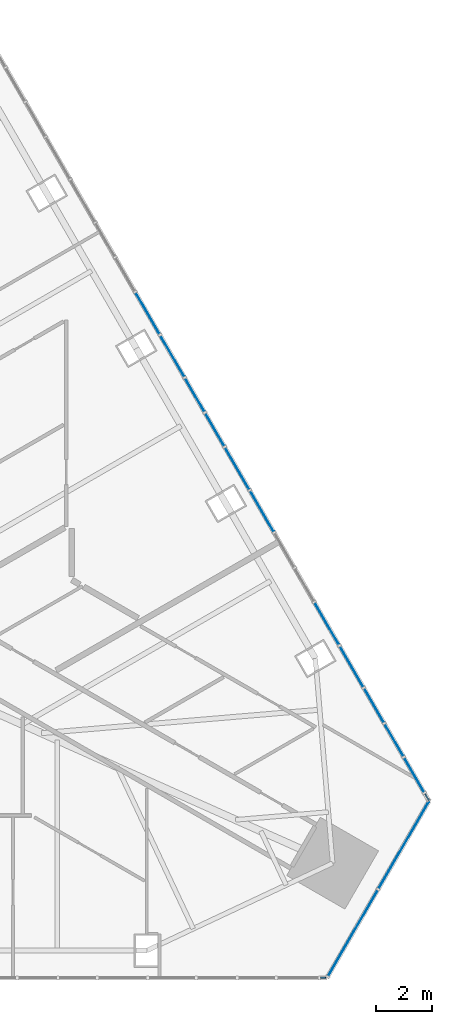
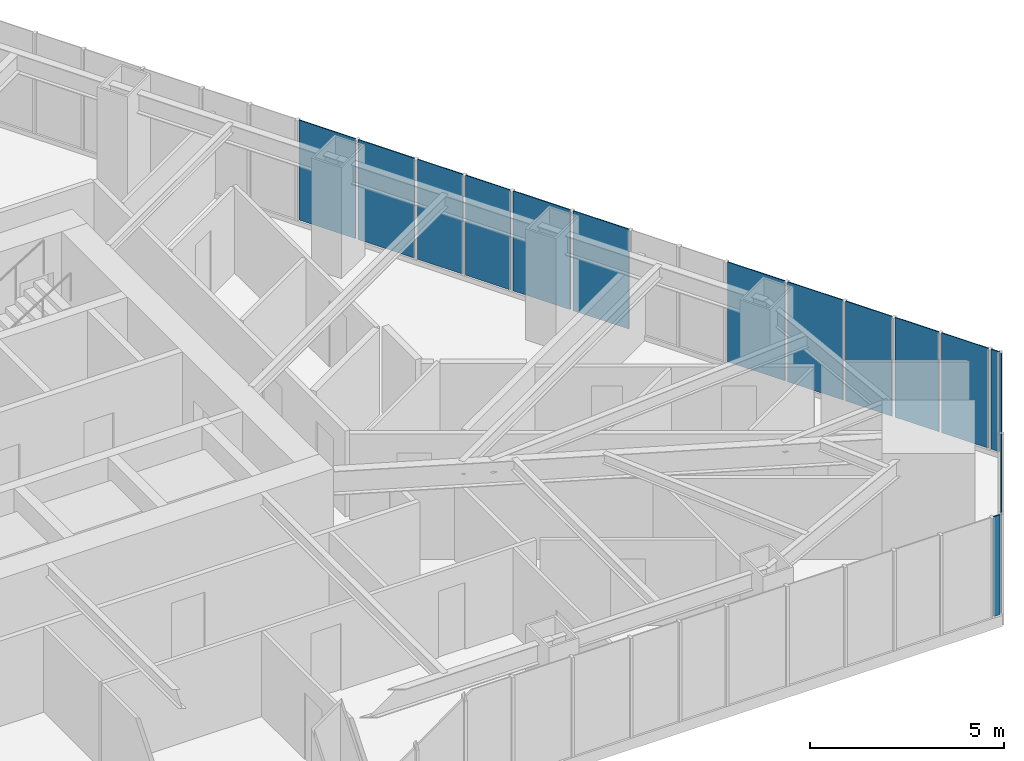
# One storey, part 13 of 21: 15 plates, 3 elements without a shape of their own.
"""IFC4 building model written with IfcOpenShell, lengths in metres."""

from ifc_helpers import new_model, si_unit, direction, frame, origin, place, context, subcontext, project, spatial, polyline, outline, extrude, material, layer, layer_set, type_object, element, aggregate, save


model = new_model("IFC4")

# Units and contexts
model_context = context("Model", 3, precision=1e-05, world=origin(), true_north=direction((0.0, 1.0)))
body_context = subcontext(model_context, "Body", "Model", "MODEL_VIEW")
ifc_project = project(units=[si_unit("LENGTHUNIT", "METRE"), si_unit("AREAUNIT", "SQUARE_METRE"), si_unit("VOLUMEUNIT", "CUBIC_METRE"), si_unit("PLANEANGLEUNIT", "RADIAN"), si_unit("MASSUNIT", "GRAM", prefix="KILO")], contexts=[model_context])

# Site, building, storey
site_placement = place(None, origin())
site = spatial("IfcSite", under=ifc_project, at=site_placement, CompositionType="ELEMENT")
building_placement = place(site_placement, origin())
building = spatial("IfcBuilding", under=site, at=building_placement, Name="Firuza Gate Tower and Library", CompositionType="ELEMENT")
storey_placement = place(building_placement, frame((0.0, 0.0, 284.60009765625)))
storey = spatial("IfcBuildingStorey", under=building, at=storey_placement, Name="L68", CompositionType="ELEMENT", Elevation=284.60009765625)

# Curtain wall, plates
ifc_material_1 = material(Name="Aluminium 6063-T6", Category="aluminium")
ifc_layer_1 = layer(ifc_material_1, 0.14990234375)
ifc_layer_set_1 = layer_set([ifc_layer_1], Name="Corner curtain wall, chamfers")
curtain_wall_type_1 = type_object("IfcCurtainWallType", Name="Corner curtain wall, chamfers", PredefinedType="NOTDEFINED", material=ifc_layer_set_1)
placement = place(storey_placement, origin())
curtain_wall_1 = element("IfcCurtainWall", 1, at=placement, inside=storey, type_object=curtain_wall_type_1, Name="CW4 L68 SE corner", PredefinedType="NOTDEFINED")
ifc_material_2 = material(Name="Fritted glass", Category="glass")
ifc_layer_2 = layer(ifc_material_2, 0.030029296875)
ifc_layer_set_2 = layer_set([ifc_layer_2], Name="Fritted glass unit, corners")
plate_type_1 = type_object("IfcPlateType", Name="Fritted glass unit, corners", PredefinedType="CURTAIN_PANEL", material=ifc_layer_set_2)
plate_1_placement = place(storey_placement, frame((97.43896484375, 57.884033203125, 0.14990234375), z_axis=(0.866016723041, -0.500015035186, 0.0), x_axis=(0.500015035186, 0.866016723041, 0.0)))
plate_1 = element("IfcPlate", 2, at=plate_1_placement, type_object=plate_type_1, Name="Glass unit", PredefinedType="CURTAIN_PANEL", context=body_context, shape_type="SweptSolid", body=[
    extrude(outline(polyline([(0.0, 0.0), (3.5633694106530625, 0.0), (3.5633694106530625, 3.14990234375), (0.0, 3.14990234375), (0.0, 0.0)])), origin(), (0.0, 0.0, -1.0), 0.030029296875),
])
plate_2_placement = place(storey_placement, frame((99.260498046875, 61.039306640625, 0.14990234375), z_axis=(0.866016723041, -0.500015035186, 0.0), x_axis=(0.500015035186, 0.866016723041, 0.0)))
plate_2 = element("IfcPlate", 3, at=plate_2_placement, type_object=plate_type_1, Name="Glass unit", PredefinedType="CURTAIN_PANEL", context=body_context, shape_type="SweptSolid", body=[
    extrude(outline(polyline([(0.0, 0.0), (3.5633694106530625, 0.0), (3.5633694106530625, 3.14990234375), (0.0, 3.14990234375), (0.0, 0.0)])), origin(), (0.0, 0.0, -1.0), 0.030029296875),
])
aggregate(curtain_wall_1, [plate_1, plate_2])

ifc_material_3 = material(Name="Aluminium 6063-T6", Category="aluminium")
ifc_layer_3 = layer(ifc_material_3, 0.14990234375)
ifc_layer_set_3 = layer_set([ifc_layer_3], Name="Unitised curtain wall, residences")
curtain_wall_type_2 = type_object("IfcCurtainWallType", Name="Unitised curtain wall, residences", PredefinedType="NOTDEFINED", material=ifc_layer_set_3)
curtain_wall_2 = element("IfcCurtainWall", 4, at=placement, inside=storey, type_object=curtain_wall_type_2, Name="CW3 L68 E face", PredefinedType="NOTDEFINED")
ifc_material_4 = material(Name="Fritted glass", Category="glass")
ifc_layer_4 = layer(ifc_material_4, 0.030029296875)
ifc_layer_set_4 = layer_set([ifc_layer_4], Name="Fritted glass unit, residences")
plate_type_2 = type_object("IfcPlateType", Name="Fritted glass unit, residences", PredefinedType="CURTAIN_PANEL", material=ifc_layer_set_4)
plate_3_placement = place(storey_placement, frame((100.876708984375, 64.496337890625, 0.14990234375), z_axis=(0.866043143382, 0.499969272857, 0.0), x_axis=(-0.499969272857, 0.866043143382, 0.0)))
plate_3 = element("IfcPlate", 5, at=plate_3_placement, type_object=plate_type_2, Name="Glass unit", PredefinedType="CURTAIN_PANEL", context=body_context, shape_type="SweptSolid", body=[
    extrude(outline(polyline([(0.0, 0.0), (1.3985234452588307, 0.0), (1.3985234452588307, 3.14990234375), (0.0, 3.14990234375), (0.0, 0.0)])), origin(), (0.0, 0.0, -1.0), 0.030029296875),
])
plate_4_placement = place(storey_placement, frame((98.709228515625, 68.250732421875, 0.14990234375), z_axis=(0.865974362219, 0.500088396166, 0.0), x_axis=(-0.500088396166, 0.865974362219, 0.0)))
plate_4 = element("IfcPlate", 6, at=plate_4_placement, type_object=plate_type_2, Name="Glass unit", PredefinedType="CURTAIN_PANEL", context=body_context, shape_type="SweptSolid", body=[
    extrude(outline(polyline([(0.0, 0.0), (1.655469044518366, 0.0), (1.655469044518366, 3.14990234375), (0.0, 3.14990234375), (0.0, 0.0)])), origin(), (0.0, 0.0, -1.0), 0.030029296875),
])
plate_5_placement = place(storey_placement, frame((97.84130859375, 69.753662109375, 0.14990234375), z_axis=(0.866003269798, 0.500038335229, 0.0), x_axis=(-0.500038335229, 0.866003269798, 0.0)))
plate_5 = element("IfcPlate", 7, at=plate_5_placement, type_object=plate_type_2, Name="Glass unit", PredefinedType="CURTAIN_PANEL", context=body_context, shape_type="SweptSolid", body=[
    extrude(outline(polyline([(0.0, 0.0), (1.7171535013042138, 0.0), (1.7171535013042138, 3.14990234375), (0.0, 3.14990234375), (0.0, 0.0)])), origin(), (0.0, 0.0, -1.0), 0.030029296875),
])
plate_6_placement = place(storey_placement, frame((95.514404296875, 73.783935546875, 0.14990234375), z_axis=(0.866063701145, 0.499933661158, 0.0), x_axis=(-0.499933661158, 0.866063701145, 0.0)))
plate_6 = element("IfcPlate", 8, at=plate_6_placement, type_object=plate_type_2, Name="Glass unit", PredefinedType="CURTAIN_PANEL", context=body_context, shape_type="SweptSolid", body=[
    extrude(outline(polyline([(0.0, 0.0), (1.667701735553958, 0.0), (1.667701735553958, 3.149902343750001), (0.0, 3.149902343750001), (0.0, 0.0)])), origin(), (0.0, 0.0, -1.0), 0.030029296875),
])
plate_7_placement = place(storey_placement, frame((94.640625, 75.297607421875, 0.14990234375), z_axis=(0.866013897511, 0.50001992892, 0.0), x_axis=(-0.50001992892, 0.866013897511, 0.0)))
plate_7 = element("IfcPlate", 9, at=plate_7_placement, type_object=plate_type_2, Name="Glass unit", PredefinedType="CURTAIN_PANEL", context=body_context, shape_type="SweptSolid", body=[
    extrude(outline(polyline([(0.0, 0.0), (1.7050101669769095, 0.0), (1.7050101669769095, 3.14990234375), (0.0, 3.14990234375), (0.0, 0.0)])), origin(), (0.0, 0.0, -1.0), 0.030029296875),
])
plate_8_placement = place(storey_placement, frame((92.31982421875, 79.3173828125, 0.14990234375), z_axis=(0.866025882247, 0.499999171277, 0.0), x_axis=(-0.499999171277, 0.866025882247, 0.0)))
plate_8 = element("IfcPlate", 10, at=plate_8_placement, type_object=plate_type_2, Name="Glass unit", PredefinedType="CURTAIN_PANEL", context=body_context, shape_type="SweptSolid", body=[
    extrude(outline(polyline([(0.0, 0.0), (1.6801785660542983, 0.0), (1.6801785660542983, 3.14990234375), (0.0, 3.14990234375), (0.0, 0.0)])), origin(), (0.0, 0.0, -1.0), 0.030029296875),
])
plate_9_placement = place(storey_placement, frame((91.439697265625, 80.841552734375, 0.14990234375), z_axis=(0.866051074803, 0.499955533855, 0.0), x_axis=(-0.499955533855, 0.866051074803, 0.0)))
plate_9 = element("IfcPlate", 11, at=plate_9_placement, type_object=plate_type_2, Name="Glass unit", PredefinedType="CURTAIN_PANEL", context=body_context, shape_type="SweptSolid", body=[
    extrude(outline(polyline([(0.0, 0.0), (1.692533333364206, 0.0), (1.692533333364206, 3.14990234375), (0.0, 3.14990234375), (0.0, 0.0)])), origin(), (0.0, 0.0, -1.0), 0.030029296875),
])

# Curtain wall, plate
curtain_wall_3 = element("IfcCurtainWall", 12, at=placement, inside=storey, type_object=curtain_wall_type_2, Name="CW3 L68 S face", PredefinedType="NOTDEFINED")
ifc_material_5 = material(Name="Glazed ceramic tile")
ifc_layer_5 = layer(ifc_material_5, 0.030029296875)
ifc_layer_set_5 = layer_set([ifc_layer_5], Name="Opaque ceramic panel, residences")
plate_type_3 = type_object("IfcPlateType", Name="Opaque ceramic panel, residences", PredefinedType="CURTAIN_PANEL", material=ifc_layer_set_5)
plate_10_placement = place(storey_placement, frame((97.179931640625, 57.842041015625, 0.14990234375), z_axis=(0.0, -1.0, 0.0), x_axis=(1.0, 0.0, 0.0)))
plate_10 = element("IfcPlate", 13, at=plate_10_placement, type_object=plate_type_3, Name="Opaque ceramic panel", PredefinedType="CURTAIN_PANEL", context=body_context, shape_type="SweptSolid", body=[
    extrude(outline(polyline([(0.0, 0.0), (0.18603515625, 0.0), (0.18603515625, 3.14990234375), (0.0, 3.14990234375), (0.0, 0.0)])), origin(), (0.0, 0.0, -1.0), 0.030029296875),
])
aggregate(curtain_wall_3, [plate_10])

# Plate
plate_11_placement = place(storey_placement, frame((101.042236328125, 64.20947265625, 0.14990234375), z_axis=(0.866201770413, 0.499694399542, 0.0), x_axis=(-0.499694399542, 0.866201770413, 0.0)))
plate_11 = element("IfcPlate", 14, at=plate_11_placement, type_object=plate_type_3, Name="Opaque ceramic panel", PredefinedType="CURTAIN_PANEL", context=body_context, shape_type="SweptSolid", body=[
    extrude(outline(polyline([(0.0, 0.0), (0.25113005341856437, 0.0), (0.25113005341856437, 3.14990234375), (0.0, 3.14990234375), (0.0, 0.0)])), origin(), (0.0, 0.0, -1.0), 0.030029296875),
])

plate_12_placement = place(storey_placement, frame((100.137451171875, 65.776611328125, 0.14990234375), z_axis=(0.866092586173, 0.499883618632, 0.0), x_axis=(-0.499883618632, 0.866092586173, 0.0)))
plate_12 = element("IfcPlate", 15, at=plate_12_placement, type_object=plate_type_3, Name="Opaque ceramic panel", PredefinedType="CURTAIN_PANEL", context=body_context, shape_type="SweptSolid", body=[
    extrude(outline(polyline([(0.0, 0.0), (1.3113403874273646, 0.0), (1.3113403874273646, 3.14990234375), (0.0, 3.14990234375), (0.0, 0.0)])), origin(), (0.0, 0.0, -1.0), 0.030029296875),
])

plate_13_placement = place(storey_placement, frame((99.44189453125, 66.9814453125, 0.14990234375), z_axis=(0.866000726912, 0.500042739161, 0.0), x_axis=(-0.500042739161, 0.866000726912, 0.0)))
plate_13 = element("IfcPlate", 16, at=plate_13_placement, type_object=plate_type_3, Name="Opaque ceramic panel", PredefinedType="CURTAIN_PANEL", context=body_context, shape_type="SweptSolid", body=[
    extrude(outline(polyline([(0.0, 0.0), (1.3856237467070587, 0.0), (1.3856237467070587, 3.14990234375), (0.0, 3.14990234375), (0.0, 0.0)])), origin(), (0.0, 0.0, -1.0), 0.030029296875),
])

plate_14_placement = place(storey_placement, frame((93.748046875, 76.84326171875, 0.14990234375), z_axis=(0.866030383119, 0.499991375441, 0.0), x_axis=(-0.499991375441, 0.866030383119, 0.0)))
plate_14 = element("IfcPlate", 17, at=plate_14_placement, type_object=plate_type_3, Name="Opaque ceramic panel", PredefinedType="CURTAIN_PANEL", context=body_context, shape_type="SweptSolid", body=[
    extrude(outline(polyline([(0.0, 0.0), (1.3359605441420428, 0.0), (1.3359605441420428, 3.14990234375), (0.0, 3.14990234375), (0.0, 0.0)])), origin(), (0.0, 0.0, -1.0), 0.030029296875),
])

plate_15_placement = place(storey_placement, frame((93.0400390625, 78.069580078125, 0.14990234375), z_axis=(0.866092970241, 0.499882953199, 0.0), x_axis=(-0.499882953199, 0.866092970241, 0.0)))
plate_15 = element("IfcPlate", 18, at=plate_15_placement, type_object=plate_type_3, Name="Opaque ceramic panel", PredefinedType="CURTAIN_PANEL", context=body_context, shape_type="SweptSolid", body=[
    extrude(outline(polyline([(0.0, 0.0), (1.3606700866616677, 0.0), (1.3606700866616677, 3.14990234375), (0.0, 3.14990234375), (0.0, 0.0)])), origin(), (0.0, 0.0, -1.0), 0.030029296875),
])

aggregate(curtain_wall_2, [plate_11, plate_3, plate_12, plate_13, plate_4, plate_5, plate_6, plate_7, plate_14, plate_15, plate_8, plate_9])

save(model, "model.ifc")
